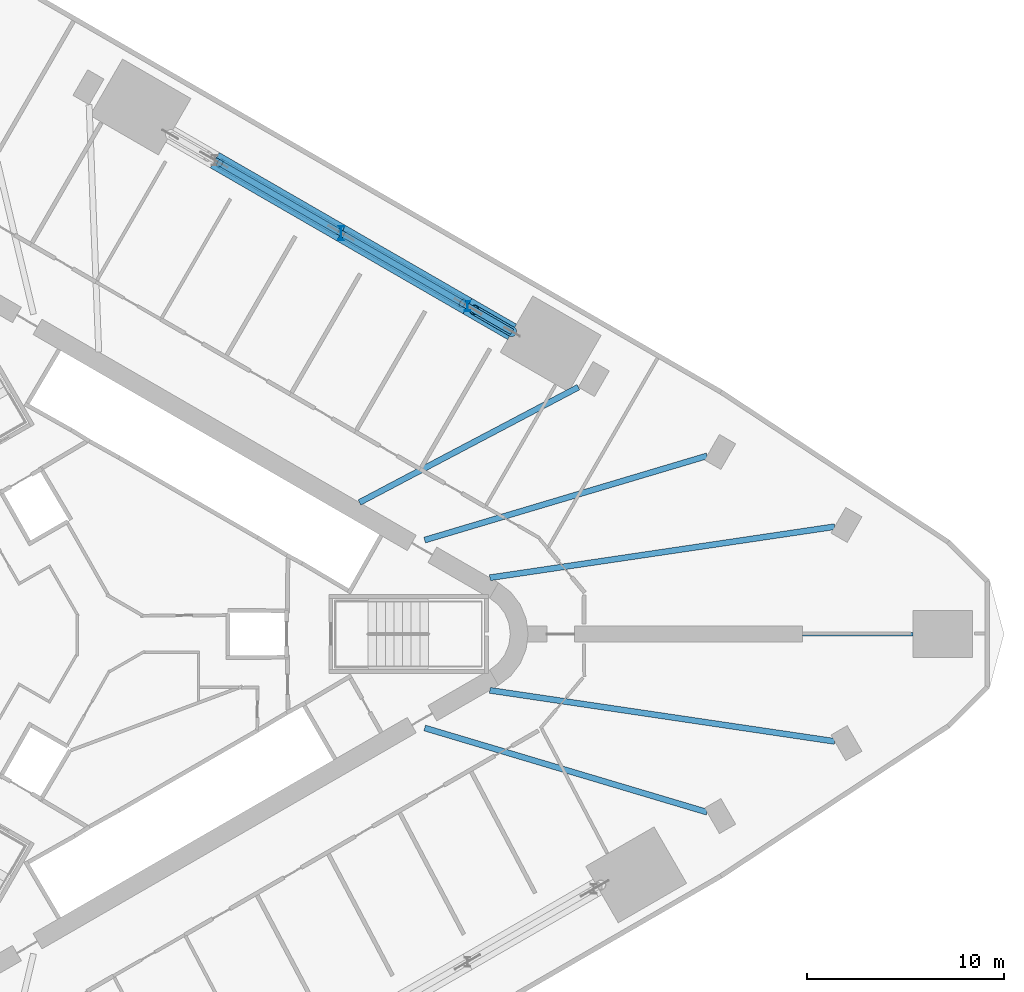
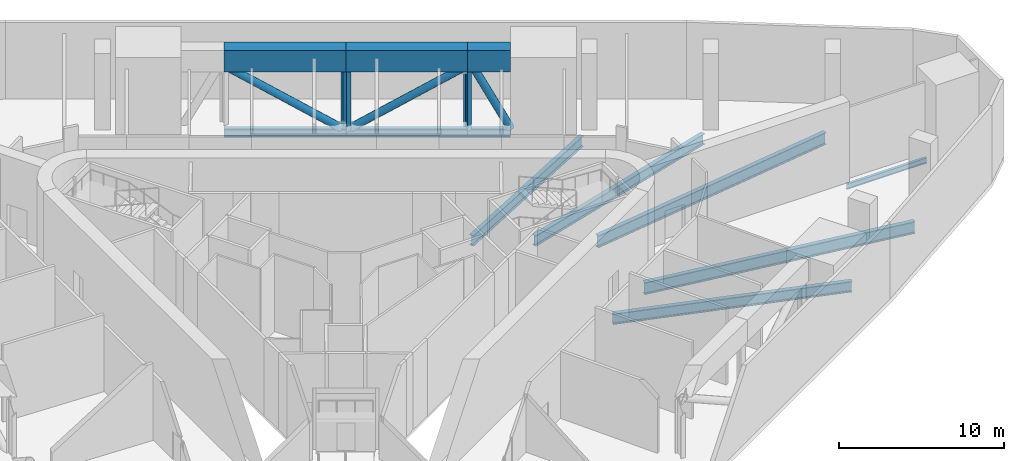
# One storey, part 4 of 14: 12 beams, 5 members.
"""IFC4 building model written with IfcOpenShell, lengths in metres."""

import ifcopenshell
import ifcopenshell.guid

model = None  # the IFC model being written
_history = None  # IfcOwnerHistory: only IFC2X3 demands one
_inside = {}  # id of a spatial element -> (the spatial element, [elements in it])
_under = {}  # id of a project, library or spatial element -> (it, [spatial elements below it])
_declared = {}  # id of a project -> (the project, [libraries it declares])
_typed = {}  # id of a type object -> (the type object, [elements of that type])
_made_of = {}  # id of a material, layer set ... -> (it, [elements and type objects made of it])


def new_model(schema):
    """Start an empty IFC model of exactly this schema.

    Asked for "IFC4X3", IfcOpenShell would pick the latest addendum, in which some entities
    have other attributes; the version numbers below select the first issue.
    IFC2X3 requires an IfcOwnerHistory on every rooted entity: one is made here for all.
    """
    global model, _history
    if schema == "IFC4X3":
        model = ifcopenshell.file(schema_version=(4, 3, 0, 0))
    else:
        model = ifcopenshell.file(schema=schema)
    _inside.clear()
    _under.clear()
    _declared.clear()
    _typed.clear()
    _made_of.clear()
    _history = None
    if model.schema == "IFC2X3":
        org = make("IfcOrganization", Name="unknown")
        user = make(
            "IfcPersonAndOrganization",
            ThePerson=make("IfcPerson", FamilyName="unknown"),
            TheOrganization=org,
        )
        app = make(
            "IfcApplication",
            ApplicationDeveloper=org,
            Version="unknown",
            ApplicationFullName="unknown",
            ApplicationIdentifier="unknown",
        )
        _history = make(
            "IfcOwnerHistory",
            OwningUser=user,
            OwningApplication=app,
            ChangeAction="ADDED",
            CreationDate=0,
        )
    return model


def make(cls, **values):
    """One entity of the class cls with the attributes given. An attribute that is None is left unset."""
    return model.create_entity(
        cls, **{name: value for name, value in values.items() if value is not None}
    )


def rooted(cls, **values):
    """An entity with a GlobalId (a new one), such as an element, a storey or a relation."""
    return make(cls, GlobalId=ifcopenshell.guid.new(), OwnerHistory=_history, **values)


def si_unit(unit_type, name, prefix=None):
    """IfcSIUnit, for example si_unit("LENGTHUNIT", "METRE", prefix="MILLI")."""
    return make("IfcSIUnit", UnitType=unit_type, Prefix=prefix, Name=name)


def assignment(units):
    """IfcUnitAssignment: the units of a project."""
    return None if units is None else make("IfcUnitAssignment", Units=units)


def point(xyz):
    """IfcCartesianPoint."""
    return None if xyz is None else make("IfcCartesianPoint", Coordinates=xyz)


def direction(xyz):
    """IfcDirection."""
    return None if xyz is None else make("IfcDirection", DirectionRatios=xyz)


def frame(location, z_axis=None, x_axis=None):
    """IfcAxis2Placement3D, a coordinate frame: its origin and axes. An axis left out is left unset."""
    return make(
        "IfcAxis2Placement3D",
        Location=point(location),
        Axis=direction(z_axis),
        RefDirection=direction(x_axis),
    )


def frame_2d(location, x_axis=None):
    """IfcAxis2Placement2D, a coordinate frame in the plane: its origin and x axis."""
    return make(
        "IfcAxis2Placement2D", Location=point(location), RefDirection=direction(x_axis)
    )


def origin():
    """The frame at (0, 0, 0) with its axes left unset."""
    return frame((0.0, 0.0, 0.0))


def origin_2d():
    """The frame at (0, 0) in the plane with its x axis left unset."""
    return frame_2d((0.0, 0.0))


def place(relative_to, where):
    """IfcLocalPlacement: puts the frame where relative to a parent placement (None: the world)."""
    return make(
        "IfcLocalPlacement", PlacementRelTo=relative_to, RelativePlacement=where
    )


def context(
    kind, dimensions, precision=None, world=None, true_north=None, identifier=None
):
    """IfcGeometricRepresentationContext, for example the 3D "Model" context."""
    return make(
        "IfcGeometricRepresentationContext",
        ContextIdentifier=identifier,
        ContextType=kind,
        CoordinateSpaceDimension=dimensions,
        Precision=precision,
        WorldCoordinateSystem=world,
        TrueNorth=true_north,
    )


def subcontext(parent, identifier, kind, view, scale=None):
    """IfcGeometricRepresentationSubContext, for example "Body" below "Model"."""
    return make(
        "IfcGeometricRepresentationSubContext",
        ContextIdentifier=identifier,
        ContextType=kind,
        ParentContext=parent,
        TargetScale=scale,
        TargetView=view,
    )


def project(units=None, contexts=None):
    """IfcProject with its units and contexts."""
    return rooted(
        "IfcProject",
        Name="project",
        RepresentationContexts=contexts,
        UnitsInContext=assignment(units),
    )


def spatial(cls, under=None, at=None, **own):
    """A site, building, storey or space (cls), placed at a placement, below another one or the project."""
    s = rooted(cls, ObjectPlacement=at, **own)
    if under is not None:
        _under.setdefault(under.id(), (under, []))[1].append(s)
    return s


def profile(cls, at=None, kind="AREA", **sizes):
    """A parametric profile (cls). Its sizes go by their IFC names, for example OverallWidth=200.0."""
    return make(cls, ProfileType=kind, Position=at, **sizes)


def rectangle(**sizes):
    """IfcRectangleProfileDef."""
    return profile("IfcRectangleProfileDef", **sizes)


def hollow_circle(**sizes):
    """IfcCircleHollowProfileDef."""
    return profile("IfcCircleHollowProfileDef", **sizes)


def i_section(**sizes):
    """IfcIShapeProfileDef."""
    return profile("IfcIShapeProfileDef", **sizes)


def extrude(swept, where, along, depth):
    """IfcExtrudedAreaSolid: the profile swept, set in the frame where, extruded along a direction by depth."""
    return make(
        "IfcExtrudedAreaSolid",
        SweptArea=swept,
        Position=where,
        ExtrudedDirection=direction(along),
        Depth=depth,
    )


def shape(context_of_items, identifier, shape_type, items):
    """IfcShapeRepresentation: the items that make up one representation, for example the "Body"."""
    return make(
        "IfcShapeRepresentation",
        ContextOfItems=context_of_items,
        RepresentationIdentifier=identifier,
        RepresentationType=shape_type,
        Items=items,
    )


def material(Name=None, Category=None):
    """IfcMaterial."""
    return make("IfcMaterial", Name=Name, Category=Category)


def material_profile(
    of_material, cross_section, Name=None, Category=None, Priority=None
):
    """IfcMaterialProfile: a cross section and its material."""
    return make(
        "IfcMaterialProfile",
        Name=Name,
        Material=of_material,
        Profile=cross_section,
        Priority=Priority,
        Category=Category,
    )


def profile_set(profiles, Name=None, composite=None):
    """IfcMaterialProfileSet."""
    return make(
        "IfcMaterialProfileSet",
        Name=Name,
        MaterialProfiles=profiles,
        CompositeProfile=composite,
    )


def made_of(thing, what):
    """Note that an element or type object is made of a material, layer set ...; save() writes the relation."""
    if what is not None:
        _made_of.setdefault(what.id(), (what, []))[1].append(thing)
    return thing


def type_object(cls, material=None, **own):
    """A type object (cls), such as IfcWallType, which elements share."""
    return made_of(rooted(cls, **own), material)


def element(
    cls,
    number,
    at=None,
    inside=None,
    cuts=None,
    type_object=None,
    material=None,
    context=None,
    identifier="Body",
    shape_type=None,
    held_by="IfcProductDefinitionShape",
    body=None,
    shapes=None,
    **own,
):
    """One element of the class cls, such as IfcWall. Its Tag is "e" and its number.

    at: its placement. inside: the storey or other place that contains it. cuts: it is an
    opening in that element (IfcRelVoidsElement). A single representation is given by context,
    identifier, shape_type and body (its items); several are given by shapes. held_by: the class
    of the entity that holds the representations. save() writes the other relations.
    """
    e = rooted(cls, Tag="e%d" % number, ObjectPlacement=at, **own)
    if body is not None:
        shapes = [shape(context, identifier, shape_type, body)]
    if shapes is not None:
        e.Representation = make(held_by, Representations=shapes)
    if inside is not None:
        _inside.setdefault(inside.id(), (inside, []))[1].append(e)
    if cuts is not None:
        rooted(
            "IfcRelVoidsElement", RelatingBuildingElement=cuts, RelatedOpeningElement=e
        )
    if type_object is not None:
        _typed.setdefault(type_object.id(), (type_object, []))[1].append(e)
    return made_of(e, material)


def aggregate(whole, parts):
    """IfcRelAggregates: a whole, such as a stair, and the parts it consists of."""
    return rooted("IfcRelAggregates", RelatingObject=whole, RelatedObjects=parts)


def save(model, path):
    """Write the relations noted so far, then the file.

    IfcRelAggregates (storeys below a building ...), IfcRelContainedInSpatialStructure (elements
    in a storey), IfcRelDefinesByType, IfcRelAssociatesMaterial and IfcRelDeclares: one each for
    every whole, place, type object, material and project.
    """
    for whole, parts in _under.values():
        aggregate(whole, parts)
    for where, things in _inside.values():
        rooted(
            "IfcRelContainedInSpatialStructure",
            RelatedElements=things,
            RelatingStructure=where,
        )
    for kind, things in _typed.values():
        rooted("IfcRelDefinesByType", RelatedObjects=things, RelatingType=kind)
    for what, things in _made_of.values():
        rooted("IfcRelAssociatesMaterial", RelatedObjects=things, RelatingMaterial=what)
    for by, libraries in _declared.values():
        rooted("IfcRelDeclares", RelatingContext=by, RelatedDefinitions=libraries)
    model.write(path)


model = new_model("IFC4")

# Units and contexts
model_context = context("Model", 3, precision=1e-05, world=origin(), true_north=direction((0.0, 1.0)))
body_context = subcontext(model_context, "Body", "Model", "MODEL_VIEW")
ifc_project = project(units=[si_unit("LENGTHUNIT", "METRE"), si_unit("AREAUNIT", "SQUARE_METRE"), si_unit("VOLUMEUNIT", "CUBIC_METRE"), si_unit("PLANEANGLEUNIT", "RADIAN"), si_unit("MASSUNIT", "GRAM", prefix="KILO")], contexts=[model_context])

# Site, building, storey
site_placement = place(None, origin())
site = spatial("IfcSite", under=ifc_project, at=site_placement, CompositionType="ELEMENT")
building_placement = place(site_placement, origin())
building = spatial("IfcBuilding", under=site, at=building_placement, Name="Tanit Gate Tower", CompositionType="ELEMENT")
storey_placement = place(building_placement, frame((0.0, 0.0, 39.5)))
storey = spatial("IfcBuildingStorey", under=building, at=storey_placement, Name="L06", CompositionType="ELEMENT", Elevation=39.5)

# Beams
ifc_material_1 = material(Name="Steel S355", Category="steel")
ifc_material_profile_1 = material_profile(ifc_material_1, i_section(OverallWidth=0.300048828125, OverallDepth=0.7900390625, WebThickness=0.014892578125, FlangeThickness=0.028076171875, FilletRadius=0.030029296875, at=origin_2d()), Name="HEA 800")
ifc_profile_set_1 = profile_set([ifc_material_profile_1], Name="Steel S355")
beam_type_1 = type_object("IfcBeamType", Name="RADIAL GIRDER HEA 800 S355", PredefinedType="BEAM", material=ifc_profile_set_1)
for number, where, z_axis, x_axis, name in (
    (1, (30.267578125, -9.026611328125, -0.7451171875), (-0.958292632116, 0.285788787801, 0.0), (-0.285788787801, -0.958292632116, 0.0), "RADIAL GIRDER"),
    (2, (30.267578125, 9.026611328125, -0.7451171875), (-0.958292632116, -0.285788787801, 0.0), (0.285788787801, -0.958292632116, 0.0), "RADIAL GIRDER"),
):
    element("IfcBeam", number, at=place(storey_placement, frame(where, z_axis=z_axis, x_axis=x_axis)), inside=storey, type_object=beam_type_1, Name=name, PredefinedType="BEAM", context=body_context, shape_type="SweptSolid", body=[
        extrude(i_section(OverallWidth=0.300048828125, OverallDepth=0.7900390625, WebThickness=0.014892578125, FlangeThickness=0.028076171875, FilletRadius=0.030029296875, at=origin_2d()), origin(), (0.0, 0.0, 1.0), 14.93017578125),
    ])
beam_1_placement = place(storey_placement, frame((23.74462890625, 12.506591796875, -0.7451171875), z_axis=(-0.884770690276, -0.466026636179, 0.0), x_axis=(0.466026636179, -0.884770690276, 0.0)))
element("IfcBeam", 3, at=beam_1_placement, inside=storey, type_object=beam_type_1, Name="RADIAL GIRDER", PredefinedType="BEAM", context=body_context, shape_type="SweptSolid", body=[
    extrude(i_section(OverallWidth=0.300048828125, OverallDepth=0.7900390625, WebThickness=0.014892578125, FlangeThickness=0.028076171875, FilletRadius=0.030029296875, at=origin_2d()), origin(), (0.0, 0.0, 1.0), 12.53173828125),
])
ifc_material_2 = material(Name="Steel S355", Category="steel")
ifc_material_profile_2 = material_profile(ifc_material_2, i_section(OverallWidth=0.300048828125, OverallDepth=0.889892578125, WebThickness=0.01611328125, FlangeThickness=0.030029296875, FilletRadius=0.030029296875, at=origin_2d()), Name="HEA 900")
ifc_profile_set_2 = profile_set([ifc_material_profile_2], Name="Steel S355")
beam_type_2 = type_object("IfcBeamType", Name="RADIAL GIRDER HEA 900 S355", PredefinedType="BEAM", material=ifc_profile_set_2)
for number, where, z_axis, x_axis, name in (
    (4, (36.731689453125, -5.439697265625, -0.794921875), (-0.98921177448, 0.146492543254, 0.0), (-0.146492543254, -0.98921177448, 0.0), "RADIAL GIRDER"),
    (5, (36.731689453125, 5.439697265625, -0.794921875), (-0.98921177448, -0.146492543254, 0.0), (0.146492543254, -0.98921177448, 0.0), "RADIAL GIRDER"),
):
    element("IfcBeam", number, at=place(storey_placement, frame(where, z_axis=z_axis, x_axis=x_axis)), inside=storey, type_object=beam_type_2, Name=name, PredefinedType="BEAM", context=body_context, shape_type="SweptSolid", body=[
        extrude(i_section(OverallWidth=0.300048828125, OverallDepth=0.889892578125, WebThickness=0.01611328125, FlangeThickness=0.030029296875, FilletRadius=0.030029296875, at=origin_2d()), origin(), (0.0, 0.0, 1.0), 17.658935546875),
    ])
ifc_material_3 = material(Name="Steel S355", Category="steel")
ifc_material_profile_3 = material_profile(ifc_material_3, i_section(OverallWidth=0.179931640625, OverallDepth=0.39990234375, WebThickness=0.008544921875, FlangeThickness=0.013427734375, FilletRadius=0.02099609375, at=origin_2d()), Name="IPE 400")
ifc_profile_set_3 = profile_set([ifc_material_profile_3], Name="Steel S355")
beam_type_3 = type_object("IfcBeamType", Name="RADIAL GIRDER IPE 400 S355", PredefinedType="BEAM", material=ifc_profile_set_3)
beam_2_placement = place(storey_placement, frame((40.711181640625, 0.0, -0.550048828125), z_axis=(-1.0, 0.0, 0.0), x_axis=(0.0, -1.0, 0.0)))
element("IfcBeam", 6, at=beam_2_placement, inside=storey, type_object=beam_type_3, Name="RADIAL GIRDER", PredefinedType="BEAM", context=body_context, shape_type="SweptSolid", body=[
    extrude(i_section(OverallWidth=0.179931640625, OverallDepth=0.39990234375, WebThickness=0.008544921875, FlangeThickness=0.013427734375, FilletRadius=0.02099609375, at=origin_2d()), origin(), (0.0, 0.0, 1.0), 5.607177734375),
])
ifc_material_4 = material(Name="Concrete C60/75", Category="concrete")
ifc_material_profile_4 = material_profile(ifc_material_4, rectangle(XDim=0.89990234375, YDim=1.60009765625, at=origin_2d()), Name="RC 900x1600")
ifc_profile_set_4 = profile_set([ifc_material_profile_4], Name="Concrete C60/75")
beam_type_4 = type_object("IfcBeamType", Name="TRANSFER GIRDER 900x1600 C60/75", PredefinedType="USERDEFINED", material=ifc_profile_set_4)
beam_3_placement = place(storey_placement, frame((20.386962890625, 15.311279296875, 4.89990234375), z_axis=(-0.866034402474, 0.499984413489, 0.0), x_axis=(-0.499984413489, -0.866034402474, 0.0)))
element("IfcBeam", 7, at=beam_3_placement, inside=storey, type_object=beam_type_4, Name="TRANSFER TRUSS TOP CHORD", ObjectType="GIRDER", PredefinedType="USERDEFINED", context=body_context, shape_type="SweptSolid", body=[
    extrude(rectangle(XDim=0.89990234375, YDim=1.60009765625, at=origin_2d()), origin(), (0.0, 0.0, 1.0), 2.6083984375),
])
beam_4_placement = place(storey_placement, frame((18.1279296875, 16.615478515625, 4.89990234375), z_axis=(-0.866018920502, 0.500011229206, 0.0), x_axis=(-0.500011229206, -0.866018920502, 0.0)))
element("IfcBeam", 8, at=beam_4_placement, inside=storey, type_object=beam_type_4, Name="TRANSFER TRUSS TOP CHORD", ObjectType="GIRDER", PredefinedType="USERDEFINED", context=body_context, shape_type="SweptSolid", body=[
    extrude(rectangle(XDim=0.89990234375, YDim=1.60009765625, at=origin_2d()), origin(), (0.0, 0.0, 1.0), 7.391357421875),
])
beam_5_placement = place(storey_placement, frame((11.726806640625, 20.311279296875, 4.89990234375), z_axis=(-0.86602717807, 0.499996926835, 0.0), x_axis=(-0.499996926835, -0.86602717807, 0.0)))
element("IfcBeam", 9, at=beam_5_placement, inside=storey, type_object=beam_type_4, Name="TRANSFER TRUSS TOP CHORD", ObjectType="GIRDER", PredefinedType="USERDEFINED", context=body_context, shape_type="SweptSolid", body=[
    extrude(rectangle(XDim=0.89990234375, YDim=1.60009765625, at=origin_2d()), origin(), (0.0, 0.0, 1.0), 7.3916015625),
])
ifc_material_5 = material(Name="Steel S460", Category="steel")
ifc_material_profile_5 = material_profile(ifc_material_5, i_section(OverallWidth=0.304931640625, OverallDepth=0.6201171875, WebThickness=0.02099609375, FlangeThickness=0.0400390625, FilletRadius=0.027099609375, at=origin_2d()), Name="HEM 600")
ifc_profile_set_5 = profile_set([ifc_material_profile_5], Name="Steel S460")
beam_type_5 = type_object("IfcBeamType", Name="TRANSFER TRUSS CHORD HEM 600 S460", PredefinedType="BEAM", material=ifc_profile_set_5)
beam_6_placement = place(storey_placement, frame((20.386962890625, 15.311279296875, -0.659912109375), z_axis=(-0.866034402474, 0.499984413489, 0.0), x_axis=(-0.499984413489, -0.866034402474, 0.0)))
element("IfcBeam", 10, at=beam_6_placement, inside=storey, type_object=beam_type_5, Name="TRANSFER TRUSS BOTTOM CHORD", PredefinedType="BEAM", context=body_context, shape_type="SweptSolid", body=[
    extrude(i_section(OverallWidth=0.304931640625, OverallDepth=0.6201171875, WebThickness=0.02099609375, FlangeThickness=0.0400390625, FilletRadius=0.027099609375, at=origin_2d()), origin(), (0.0, 0.0, 1.0), 2.6083984375),
])
beam_7_placement = place(storey_placement, frame((18.1279296875, 16.615478515625, -0.659912109375), z_axis=(-0.866018920502, 0.500011229206, 0.0), x_axis=(-0.500011229206, -0.866018920502, 0.0)))
element("IfcBeam", 11, at=beam_7_placement, inside=storey, type_object=beam_type_5, Name="TRANSFER TRUSS BOTTOM CHORD", PredefinedType="BEAM", context=body_context, shape_type="SweptSolid", body=[
    extrude(i_section(OverallWidth=0.304931640625, OverallDepth=0.6201171875, WebThickness=0.02099609375, FlangeThickness=0.0400390625, FilletRadius=0.027099609375, at=origin_2d()), origin(), (0.0, 0.0, 1.0), 7.391357421875),
])
beam_8_placement = place(storey_placement, frame((11.726806640625, 20.311279296875, -0.659912109375), z_axis=(-0.86602717807, 0.499996926835, 0.0), x_axis=(-0.499996926835, -0.86602717807, 0.0)))
element("IfcBeam", 12, at=beam_8_placement, inside=storey, type_object=beam_type_5, Name="TRANSFER TRUSS BOTTOM CHORD", PredefinedType="BEAM", context=body_context, shape_type="SweptSolid", body=[
    extrude(i_section(OverallWidth=0.304931640625, OverallDepth=0.6201171875, WebThickness=0.02099609375, FlangeThickness=0.0400390625, FilletRadius=0.027099609375, at=origin_2d()), origin(), (0.0, 0.0, 1.0), 7.3916015625),
])

# Members
ifc_material_6 = material(Name="Steel S460", Category="steel")
ifc_material_profile_6 = material_profile(ifc_material_6, hollow_circle(Radius=0.25390625, WallThickness=0.02490234375, at=origin_2d()), Name="CHS 508x25")
ifc_profile_set_6 = profile_set([ifc_material_profile_6], Name="Steel S460")
member_type_1 = type_object("IfcMemberType", Name="TRANSFER TRUSS DIAGONAL CHS 508x25 S460", PredefinedType="BRACE", material=ifc_profile_set_6)
member_1_placement = place(storey_placement, frame((20.386962890625, 15.311279296875, -0.35009765625), z_axis=(-0.387887230676, 0.223962202234, 0.894083009708), x_axis=(-0.500025795397, -0.866010510293, 0.0)))
element("IfcMember", 13, at=member_1_placement, inside=storey, type_object=member_type_1, Name="TRANSFER TRUSS DIAGONAL", PredefinedType="BRACE", context=body_context, shape_type="SweptSolid", body=[
    extrude(hollow_circle(Radius=0.25390625, WallThickness=0.02490234375, at=origin_2d()), origin(), (0.0, 0.0, 1.0), 4.977294921875),
])
member_2_placement = place(storey_placement, frame((17.8759765625, 16.760986328125, 4.10009765625), z_axis=(-0.724942416472, 0.418548827991, -0.547060665181), x_axis=(-0.500002803175, -0.866023785365, 0.0)))
element("IfcMember", 14, at=member_2_placement, inside=storey, type_object=member_type_1, Name="TRANSFER TRUSS DIAGONAL", PredefinedType="BRACE", context=body_context, shape_type="SweptSolid", body=[
    extrude(hollow_circle(Radius=0.25390625, WallThickness=0.02490234375, at=origin_2d()), origin(), (0.0, 0.0, 1.0), 8.134765625),
])
member_3_placement = place(storey_placement, frame((11.474609375, 20.456787109375, -0.35009765625), z_axis=(-0.724928176508, 0.418557934486, 0.547072567748), x_axis=(-0.500018328342, -0.866014821653, 0.0)))
element("IfcMember", 15, at=member_3_placement, inside=storey, type_object=member_type_1, Name="TRANSFER TRUSS DIAGONAL", PredefinedType="BRACE", context=body_context, shape_type="SweptSolid", body=[
    extrude(hollow_circle(Radius=0.25390625, WallThickness=0.02490234375, at=origin_2d()), origin(), (0.0, 0.0, 1.0), 8.134521484375),
])
ifc_material_7 = material(Name="Steel S460", Category="steel")
ifc_material_profile_7 = material_profile(ifc_material_7, i_section(OverallWidth=0.300048828125, OverallDepth=0.5, WebThickness=0.014404296875, FlangeThickness=0.028076171875, FilletRadius=0.027099609375, at=origin_2d()), Name="HEB 500")
ifc_profile_set_7 = profile_set([ifc_material_profile_7], Name="Steel S460")
member_type_2 = type_object("IfcMemberType", Name="TRANSFER TRUSS POST HEB 500 S460", PredefinedType="POST", material=ifc_profile_set_7)
member_4_placement = place(storey_placement, frame((18.1279296875, 16.615478515625, -0.39990234375), z_axis=(0.0, 0.0, 1.0), x_axis=(1.0, 0.0, 0.0)))
element("IfcMember", 16, at=member_4_placement, inside=storey, type_object=member_type_2, Name="TRANSFER TRUSS POST", PredefinedType="POST", context=body_context, shape_type="SweptSolid", body=[
    extrude(i_section(OverallWidth=0.300048828125, OverallDepth=0.5, WebThickness=0.014404296875, FlangeThickness=0.028076171875, FilletRadius=0.027099609375, at=origin_2d()), origin(), (0.0, 0.0, 1.0), 4.64990234375),
])
ifc_material_8 = material(Name="Steel S460", Category="steel")
ifc_material_profile_8 = material_profile(ifc_material_8, i_section(OverallWidth=0.300048828125, OverallDepth=0.699951171875, WebThickness=0.01708984375, FlangeThickness=0.031982421875, FilletRadius=0.027099609375, at=origin_2d()), Name="HEB 700")
ifc_profile_set_8 = profile_set([ifc_material_profile_8], Name="Steel S460")
member_type_3 = type_object("IfcMemberType", Name="TRANSFER TRUSS POST HEB 700 S460", PredefinedType="POST", material=ifc_profile_set_8)
member_5_placement = place(storey_placement, frame((11.726806640625, 20.311279296875, -0.39990234375), z_axis=(0.0, 0.0, 1.0), x_axis=(1.0, 0.0, 0.0)))
element("IfcMember", 17, at=member_5_placement, inside=storey, type_object=member_type_3, Name="TRANSFER TRUSS POST", PredefinedType="POST", context=body_context, shape_type="SweptSolid", body=[
    extrude(i_section(OverallWidth=0.300048828125, OverallDepth=0.699951171875, WebThickness=0.01708984375, FlangeThickness=0.031982421875, FilletRadius=0.027099609375, at=origin_2d()), origin(), (0.0, 0.0, 1.0), 4.64990234375),
])

save(model, "model.ifc")
